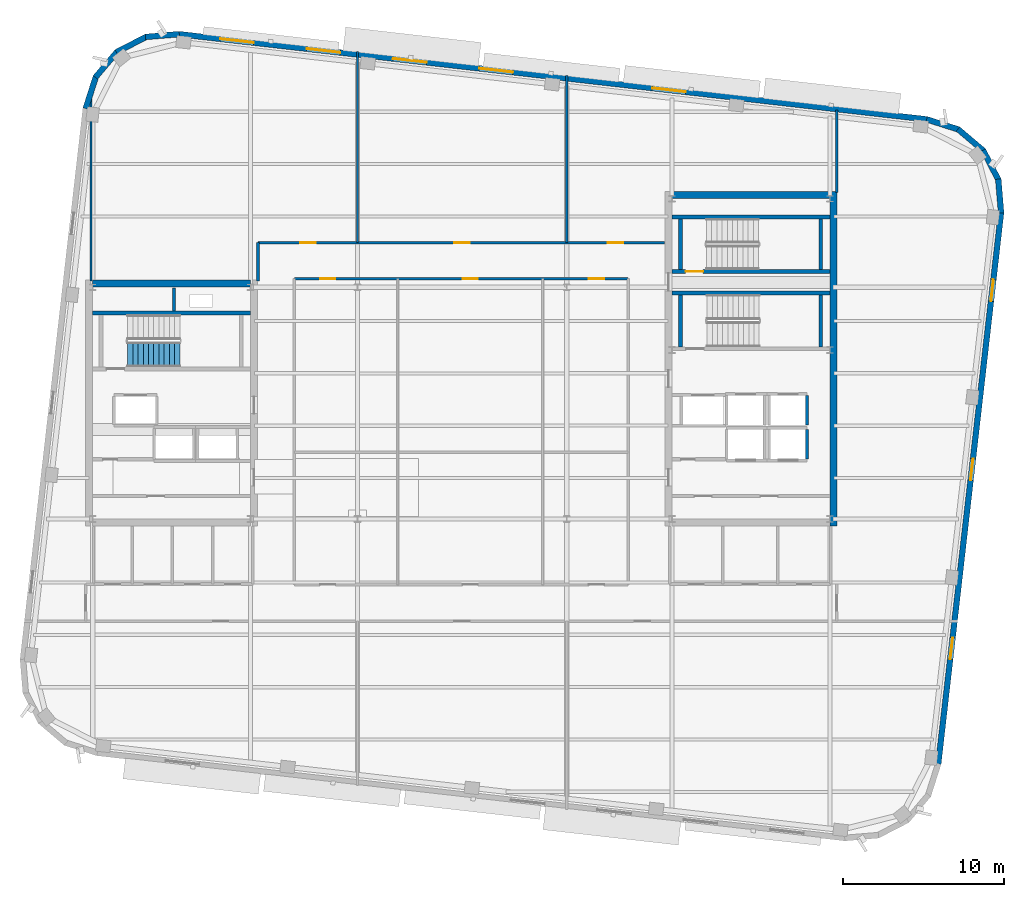
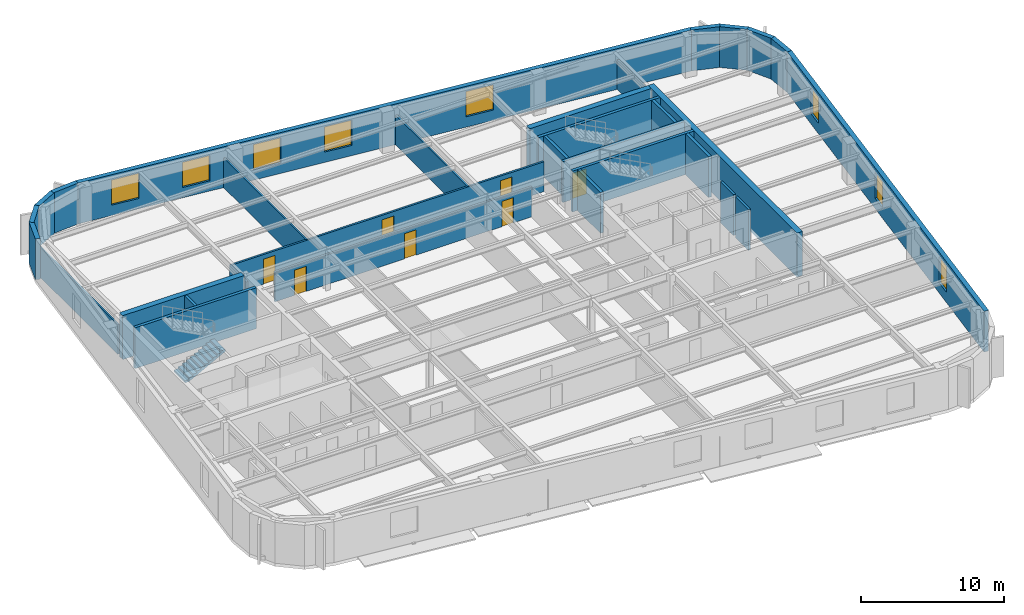
# One storey, part 8 of 14: 31 walls, 8 windows, 7 doors, 1 stair flight, 15 openings, 1 element without a shape of its own.
"""IFC4 building model written with IfcOpenShell, lengths in metres."""

from ifc_helpers import new_model, si_unit, direction, frame, frame_2d, origin, place, context, subcontext, project, spatial, polyline, rectangle, outline, extrude, material, layer, layer_set, type_object, element, fill, aggregate, save


model = new_model("IFC4")

# Units and contexts
model_context = context("Model", 3, precision=1e-05, world=origin(), true_north=direction((0.0, 1.0)))
body_context = subcontext(model_context, "Body", "Model", "MODEL_VIEW")
ifc_project = project(units=[si_unit("LENGTHUNIT", "METRE"), si_unit("AREAUNIT", "SQUARE_METRE"), si_unit("VOLUMEUNIT", "CUBIC_METRE"), si_unit("PLANEANGLEUNIT", "RADIAN"), si_unit("MASSUNIT", "GRAM", prefix="KILO")], contexts=[model_context])

# Site, building, storey
site_placement = place(None, origin())
site = spatial("IfcSite", under=ifc_project, at=site_placement, CompositionType="ELEMENT")
building_placement = place(site_placement, origin())
building = spatial("IfcBuilding", under=site, at=building_placement, Name="Kolvaren Arena Tower", CompositionType="ELEMENT")
storey_placement = place(building_placement, frame((0.0, 0.0, 247.199951171875)))
storey = spatial("IfcBuildingStorey", under=building, at=storey_placement, Name="L60", CompositionType="ELEMENT", Elevation=247.199951171875)

# Wall
ifc_material_1 = material(Name="Gypsum board acoustic assembly", Category="gypsum")
ifc_layer_1 = layer(ifc_material_1, 0.159912109375)
ifc_layer_set_1 = layer_set([ifc_layer_1], Name="Gypsum board acoustic assembly")
wall_type_1 = type_object("IfcWallType", Name="CORR-160", PredefinedType="PARTITIONING", material=ifc_layer_set_1)
wall_1_placement = place(storey_placement, frame((24.820068359375, 34.25, 0.0), z_axis=(0.0, 0.0, 1.0), x_axis=(0.0, 1.0, 0.0)))
element("IfcWall", 1, at=wall_1_placement, inside=storey, type_object=wall_type_1, Name="Interior Partition Wall (L60)", PredefinedType="PARTITIONING", context=body_context, shape_type="SweptSolid", body=[
    extrude(rectangle(XDim=2.3701171875, YDim=0.159912109375, at=frame_2d((1.18505859375, 0.0))), origin(), (0.0, 0.0, 1.0), 2.5400390625),
])

# Wall, openings, doors
wall_2_placement = place(storey_placement, frame((24.820068359375, 36.6201171875, 0.0), z_axis=(0.0, 0.0, 1.0), x_axis=(1.0, 0.0, 0.0)))
wall_2 = element("IfcWall", 2, at=wall_2_placement, inside=storey, type_object=wall_type_1, Name="Interior Partition Wall (L60)", PredefinedType="PARTITIONING", context=body_context, shape_type="SweptSolid", body=[
    extrude(rectangle(XDim=25.260009765625, YDim=0.159912109375, at=frame_2d((12.6298828125, 0.0))), origin(), (0.0, 0.0, 1.0), 2.5400390625),
])
opening_1_placement = place(wall_2_placement, frame((2.6298828125, 0.0, 0.0)))
opening_1 = element("IfcOpeningElement", 3, at=opening_1_placement, cuts=wall_2, Name="Opening D05", PredefinedType="OPENING", context=body_context, shape_type="SweptSolid", body=[
    extrude(rectangle(XDim=0.949951171875, YDim=2.14990234375, at=frame_2d((0.47509765625, 1.074951171875))), frame((0.0, 0.08984375, 0.0), z_axis=(0.0, -1.0, 0.0), x_axis=(1.0, 0.0, 0.0)), (0.0, 0.0, 1.0), 0.179931640625),
])
opening_2_placement = place(wall_2_placement, frame((12.205078125, 0.0, 0.0)))
opening_2 = element("IfcOpeningElement", 4, at=opening_2_placement, cuts=wall_2, Name="Opening D05", PredefinedType="OPENING", context=body_context, shape_type="SweptSolid", body=[
    extrude(rectangle(XDim=0.949951171875, YDim=2.14990234375, at=frame_2d((0.47509765625, 1.074951171875))), frame((0.0, 0.08984375, 0.0), z_axis=(0.0, -1.0, 0.0), x_axis=(1.0, 0.0, 0.0)), (0.0, 0.0, 1.0), 0.179931640625),
])
opening_3_placement = place(wall_2_placement, frame((21.72998046875, 0.0, 0.0)))
opening_3 = element("IfcOpeningElement", 5, at=opening_3_placement, cuts=wall_2, Name="Opening D05", PredefinedType="OPENING", context=body_context, shape_type="SweptSolid", body=[
    extrude(rectangle(XDim=0.949951171875, YDim=2.14990234375, at=frame_2d((0.47509765625, 1.074951171875))), frame((0.0, 0.08984375, 0.0), z_axis=(0.0, -1.0, 0.0), x_axis=(1.0, 0.0, 0.0)), (0.0, 0.0, 1.0), 0.179931640625),
])
ifc_material_2 = material(Name="Solid-core oak acoustic office door", Category="wood")
door_type_1 = type_object("IfcDoorType", Name="DOOR-OF-095", OperationType="NOTDEFINED", PredefinedType="DOOR", material=ifc_material_2)
door_1_placement = place(opening_1_placement, origin())
door_1 = element("IfcDoor", 6, at=door_1_placement, inside=storey, type_object=door_type_1, Name="Open Plan Office Door (L60)", OperationType="SINGLE_SWING_LEFT", OverallHeight=2.14990234375, OverallWidth=0.949951171875, PredefinedType="DOOR", context=body_context, shape_type="SweptSolid", body=[
    extrude(rectangle(XDim=0.949951171875, YDim=2.14990234375, at=frame_2d((0.47509765625, 1.074951171875))), frame((0.0, 0.02490234375, 0.0), z_axis=(0.0, -1.0, 0.0), x_axis=(1.0, 0.0, 0.0)), (0.0, 0.0, 1.0), 0.050048828125),
])
fill(opening_1, door_1)
door_2_placement = place(opening_2_placement, origin())
door_2 = element("IfcDoor", 7, at=door_2_placement, inside=storey, type_object=door_type_1, Name="Corporate Project Office Door (L60)", OperationType="SINGLE_SWING_RIGHT", OverallHeight=2.14990234375, OverallWidth=0.949951171875, PredefinedType="DOOR", context=body_context, shape_type="SweptSolid", body=[
    extrude(rectangle(XDim=0.949951171875, YDim=2.14990234375, at=frame_2d((0.47509765625, 1.074951171875))), frame((0.0, 0.02490234375, 0.0), z_axis=(0.0, -1.0, 0.0), x_axis=(1.0, 0.0, 0.0)), (0.0, 0.0, 1.0), 0.050048828125),
])
fill(opening_2, door_2)
door_3_placement = place(opening_3_placement, origin())
door_3 = element("IfcDoor", 8, at=door_3_placement, inside=storey, type_object=door_type_1, Name="Breakout Pantry and Kitchen Door (L60)", OperationType="SINGLE_SWING_LEFT", OverallHeight=2.14990234375, OverallWidth=0.949951171875, PredefinedType="DOOR", context=body_context, shape_type="SweptSolid", body=[
    extrude(rectangle(XDim=0.949951171875, YDim=2.14990234375, at=frame_2d((0.47509765625, 1.074951171875))), frame((0.0, 0.02490234375, 0.0), z_axis=(0.0, -1.0, 0.0), x_axis=(1.0, 0.0, 0.0)), (0.0, 0.0, 1.0), 0.050048828125),
])
fill(opening_3, door_3)

wall_3_placement = place(storey_placement, frame((27.080078125, 34.3798828125, 0.0), z_axis=(0.0, 0.0, 1.0), x_axis=(1.0, 0.0, 0.0)))
wall_3 = element("IfcWall", 9, at=wall_3_placement, inside=storey, type_object=wall_type_1, Name="Interior Partition Wall (L60)", PredefinedType="PARTITIONING", context=body_context, shape_type="SweptSolid", body=[
    extrude(rectangle(XDim=20.739990234375, YDim=0.159912109375, at=frame_2d((10.3701171875, 0.0))), origin(), (0.0, 0.0, 1.0), 2.5400390625),
])
opening_4_placement = place(wall_3_placement, frame((1.594970703125, 0.0, 0.0)))
opening_4 = element("IfcOpeningElement", 10, at=opening_4_placement, cuts=wall_3, Name="Opening D05", PredefinedType="OPENING", context=body_context, shape_type="SweptSolid", body=[
    extrude(rectangle(XDim=0.949951171875, YDim=2.14990234375, at=frame_2d((0.47509765625, 1.074951171875))), frame((0.0, 0.08984375, 0.0), z_axis=(0.0, -1.0, 0.0), x_axis=(1.0, 0.0, 0.0)), (0.0, 0.0, 1.0), 0.179931640625),
])
opening_5_placement = place(wall_3_placement, frame((10.445068359375, 0.0, 0.0)))
opening_5 = element("IfcOpeningElement", 11, at=opening_5_placement, cuts=wall_3, Name="Opening D05", PredefinedType="OPENING", context=body_context, shape_type="SweptSolid", body=[
    extrude(rectangle(XDim=0.949951171875, YDim=2.14990234375, at=frame_2d((0.47509765625, 1.074951171875))), frame((0.0, 0.08984375, 0.0), z_axis=(0.0, -1.0, 0.0), x_axis=(1.0, 0.0, 0.0)), (0.0, 0.0, 1.0), 0.179931640625),
])
opening_6_placement = place(wall_3_placement, frame((18.294921875, 0.0, 0.0)))
opening_6 = element("IfcOpeningElement", 12, at=opening_6_placement, cuts=wall_3, Name="Opening D05", PredefinedType="OPENING", context=body_context, shape_type="SweptSolid", body=[
    extrude(rectangle(XDim=0.949951171875, YDim=2.14990234375, at=frame_2d((0.47509765625, 1.074951171875))), frame((0.0, 0.08984375, 0.0), z_axis=(0.0, -1.0, 0.0), x_axis=(1.0, 0.0, 0.0)), (0.0, 0.0, 1.0), 0.179931640625),
])
door_4_placement = place(opening_4_placement, origin())
door_4 = element("IfcDoor", 13, at=door_4_placement, inside=storey, type_object=door_type_1, Name="Executive Office Door (L60)", OperationType="SINGLE_SWING_RIGHT", OverallHeight=2.14990234375, OverallWidth=0.949951171875, PredefinedType="DOOR", context=body_context, shape_type="SweptSolid", body=[
    extrude(rectangle(XDim=0.949951171875, YDim=2.14990234375, at=frame_2d((0.47509765625, 1.074951171875))), frame((0.0, 0.02490234375, 0.0), z_axis=(0.0, -1.0, 0.0), x_axis=(1.0, 0.0, 0.0)), (0.0, 0.0, 1.0), 0.050048828125),
])
fill(opening_4, door_4)
door_5_placement = place(opening_5_placement, origin())
door_5 = element("IfcDoor", 14, at=door_5_placement, inside=storey, type_object=door_type_1, Name="Meeting Room Door (L60)", OperationType="SINGLE_SWING_RIGHT", OverallHeight=2.14990234375, OverallWidth=0.949951171875, PredefinedType="DOOR", context=body_context, shape_type="SweptSolid", body=[
    extrude(rectangle(XDim=0.949951171875, YDim=2.14990234375, at=frame_2d((0.47509765625, 1.074951171875))), frame((0.0, 0.02490234375, 0.0), z_axis=(0.0, -1.0, 0.0), x_axis=(1.0, 0.0, 0.0)), (0.0, 0.0, 1.0), 0.050048828125),
])
fill(opening_5, door_5)
door_6_placement = place(opening_6_placement, origin())
door_6 = element("IfcDoor", 15, at=door_6_placement, inside=storey, type_object=door_type_1, Name="Boardroom Door (L60)", OperationType="SINGLE_SWING_RIGHT", OverallHeight=2.14990234375, OverallWidth=0.949951171875, PredefinedType="DOOR", context=body_context, shape_type="SweptSolid", body=[
    extrude(rectangle(XDim=0.949951171875, YDim=2.14990234375, at=frame_2d((0.47509765625, 1.074951171875))), frame((0.0, 0.02490234375, 0.0), z_axis=(0.0, -1.0, 0.0), x_axis=(1.0, 0.0, 0.0)), (0.0, 0.0, 1.0), 0.050048828125),
])
fill(opening_6, door_6)

# Walls
ifc_material_3 = material(Name="Concrete 55 MPa", Category="concrete")
ifc_layer_2 = layer(ifc_material_3, 0.449951171875)
ifc_layer_set_2 = layer_set([ifc_layer_2], Name="Concrete 55 MPa")
wall_type_2 = type_object("IfcWallType", Name="CWALL-450", PredefinedType="SHEAR", material=ifc_layer_set_2)
wall_4_placement = place(storey_placement, frame((14.550048828125, 34.074951171875, -0.27001953125), z_axis=(0.0, 0.0, 1.0), x_axis=(1.0, 0.0, 0.0)))
element("IfcWall", 16, at=wall_4_placement, inside=storey, type_object=wall_type_2, Name="Core Shear Wall WC-NORTH (L60)", PredefinedType="SHEAR", context=body_context, shape_type="SweptSolid", body=[
    extrude(rectangle(XDim=9.800048828125, YDim=0.449951171875, at=frame_2d((4.89990234375, 0.0))), origin(), (0.0, 0.0, 1.0), 3.75),
])
wall_5_placement = place(storey_placement, frame((60.574951171875, 19.0, -0.27001953125), z_axis=(0.0, 0.0, 1.0), x_axis=(0.0, 1.0, 0.0)))
element("IfcWall", 17, at=wall_5_placement, inside=storey, type_object=wall_type_2, Name="Core Shear Wall EC-EAST (L60)", PredefinedType="SHEAR", context=body_context, shape_type="SweptSolid", body=[
    extrude(rectangle(XDim=20.800048828125, YDim=0.449951171875, at=frame_2d((10.39990234375, 0.0))), origin(), (0.0, 0.0, 1.0), 3.75),
])
wall_6_placement = place(storey_placement, frame((50.550048828125, 39.574951171875, -0.27001953125), z_axis=(0.0, 0.0, 1.0), x_axis=(1.0, 0.0, 0.0)))
element("IfcWall", 18, at=wall_6_placement, inside=storey, type_object=wall_type_2, Name="Core Shear Wall EC-NORTH (L60)", PredefinedType="SHEAR", context=body_context, shape_type="SweptSolid", body=[
    extrude(rectangle(XDim=9.800048828125, YDim=0.449951171875, at=frame_2d((4.89990234375, 0.0))), origin(), (0.0, 0.0, 1.0), 3.75),
])

# Wall, openings, windows
ifc_material_4 = material(Name="Precast concrete C50/60", Category="concrete")
ifc_layer_3 = layer(ifc_material_4, 0.360107421875)
ifc_layer_set_3 = layer_set([ifc_layer_3], Name="Precast concrete C50/60")
wall_type_3 = type_object("IfcWallType", Name="EXT-PIER2", PredefinedType="SOLIDWALL", material=ifc_layer_set_3)
wall_7_placement = place(storey_placement, frame((70.98876953125, 38.499267578125, 0.0), z_axis=(0.0, 0.0, 1.0), x_axis=(-0.113203107947, -0.993571867733, 0.0)))
wall_7 = element("IfcWall", 19, at=wall_7_placement, inside=storey, type_object=wall_type_3, Name="Exterior Precast Masonry-Frame Wall (L60)", PredefinedType="SOLIDWALL", context=body_context, shape_type="SweptSolid", body=[
    extrude(rectangle(XDim=34.5, YDim=0.360107421875, at=frame_2d((17.25, 0.0))), origin(), (0.0, 0.0, 1.0), 3.47998046875),
])
opening_7_placement = place(wall_7_placement, frame((4.199951171875, 0.0, 0.8798828125)))
opening_7 = element("IfcOpeningElement", 20, at=opening_7_placement, cuts=wall_7, Name="Opening W04", PredefinedType="OPENING", context=body_context, shape_type="SweptSolid", body=[
    extrude(rectangle(XDim=1.35009765625, YDim=2.199951171875, at=frame_2d((0.675048828125, 1.10009765625))), frame((0.0, 0.18994140625, 0.0), z_axis=(0.0, -1.0, 0.0), x_axis=(1.0, 0.0, 0.0)), (0.0, 0.0, 1.0), 0.380126953125),
])
opening_8_placement = place(wall_7_placement, frame((15.39990234375, 0.0, 0.8798828125)))
opening_8 = element("IfcOpeningElement", 21, at=opening_8_placement, cuts=wall_7, Name="Opening W04", PredefinedType="OPENING", context=body_context, shape_type="SweptSolid", body=[
    extrude(rectangle(XDim=1.35009765625, YDim=2.199951171875, at=frame_2d((0.675048828125, 1.10009765625))), frame((0.0, 0.18994140625, 0.0), z_axis=(0.0, -1.0, 0.0), x_axis=(1.0, 0.0, 0.0)), (0.0, 0.0, 1.0), 0.380126953125),
])
opening_9_placement = place(wall_7_placement, frame((26.60009765625, 0.0, 0.8798828125)))
opening_9 = element("IfcOpeningElement", 22, at=opening_9_placement, cuts=wall_7, Name="Opening W04", PredefinedType="OPENING", context=body_context, shape_type="SweptSolid", body=[
    extrude(rectangle(XDim=1.35009765625, YDim=2.199951171875, at=frame_2d((0.675048828125, 1.10009765625))), frame((0.0, 0.18994140625, 0.0), z_axis=(0.0, -1.0, 0.0), x_axis=(1.0, 0.0, 0.0)), (0.0, 0.0, 1.0), 0.380126953125),
])
ifc_material_5 = material(Name="Triple-glazed curved-facet corner window", Category="glass")
window_type_1 = type_object("IfcWindowType", Name="WIN-CRN-A", PartitioningType="SINGLE_PANEL", PredefinedType="WINDOW", material=ifc_material_5)
window_1_placement = place(opening_7_placement, origin())
window_1 = element("IfcWindow", 23, at=window_1_placement, inside=storey, type_object=window_type_1, Name="End-Wall Punched Window (L60)", OverallHeight=2.199951171875, OverallWidth=1.35009765625, PartitioningType="SINGLE_PANEL", PredefinedType="WINDOW", context=body_context, shape_type="SweptSolid", body=[
    extrude(rectangle(XDim=1.35009765625, YDim=2.199951171875, at=frame_2d((0.675048828125, 1.10009765625))), frame((0.0, 0.030029296875, 0.0), z_axis=(0.0, -1.0, 0.0), x_axis=(1.0, 0.0, 0.0)), (0.0, 0.0, 1.0), 0.06005859375),
])
fill(opening_7, window_1)
window_2_placement = place(opening_8_placement, origin())
window_2 = element("IfcWindow", 24, at=window_2_placement, inside=storey, type_object=window_type_1, Name="End-Wall Punched Window (L60)", OverallHeight=2.199951171875, OverallWidth=1.35009765625, PartitioningType="SINGLE_PANEL", PredefinedType="WINDOW", context=body_context, shape_type="SweptSolid", body=[
    extrude(rectangle(XDim=1.35009765625, YDim=2.199951171875, at=frame_2d((0.675048828125, 1.10009765625))), frame((0.0, 0.030029296875, 0.0), z_axis=(0.0, -1.0, 0.0), x_axis=(1.0, 0.0, 0.0)), (0.0, 0.0, 1.0), 0.06005859375),
])
fill(opening_8, window_2)
window_3_placement = place(opening_9_placement, origin())
window_3 = element("IfcWindow", 25, at=window_3_placement, inside=storey, type_object=window_type_1, Name="End-Wall Punched Window (L60)", OverallHeight=2.199951171875, OverallWidth=1.35009765625, PartitioningType="SINGLE_PANEL", PredefinedType="WINDOW", context=body_context, shape_type="SweptSolid", body=[
    extrude(rectangle(XDim=1.35009765625, YDim=2.199951171875, at=frame_2d((0.675048828125, 1.10009765625))), frame((0.0, 0.030029296875, 0.0), z_axis=(0.0, -1.0, 0.0), x_axis=(1.0, 0.0, 0.0)), (0.0, 0.0, 1.0), 0.06005859375),
])
fill(opening_9, window_3)

# Walls
wall_8_placement = place(storey_placement, frame((70.813720703125, 40.563720703125, 0.0), z_axis=(0.0, 0.0, 1.0), x_axis=(0.082853678144, -0.996561723135, 0.0)))
element("IfcWall", 26, at=wall_8_placement, inside=storey, type_object=wall_type_3, Name="Exterior Precast Masonry-Frame Wall (L60)", PredefinedType="SOLIDWALL", context=body_context, shape_type="SweptSolid", body=[
    extrude(rectangle(XDim=2.10693359375, YDim=0.360107421875, at=frame_2d((1.053466796875, 0.0))), origin(), (0.0, 0.0, 1.0), 3.47998046875),
])
for number, where, z_axis, x_axis, name in (
    (27, (69.868408203125, 42.369384765625, 0.0), (0.0, 0.0, 1.0), (0.457887222333, -0.889010287693, 0.0), "Exterior Precast Masonry-Frame Wall (L60)"),
    (28, (68.303955078125, 43.67578125, 0.0), (0.0, 0.0, 1.0), (0.763192878975, -0.646170743289, 0.0), "Exterior Precast Masonry-Frame Wall (L60)"),
    (29, (66.358642578125, 44.283935546875, 0.0), (0.0, 0.0, 1.0), (0.952403965565, -0.304838787518, 0.0), "Exterior Precast Masonry-Frame Wall (L60)"),
):
    element("IfcWall", number, at=place(storey_placement, frame(where, z_axis=z_axis, x_axis=x_axis)), inside=storey, type_object=wall_type_3, Name=name, PredefinedType="SOLIDWALL", context=body_context, shape_type="SweptSolid", body=[
        extrude(rectangle(XDim=2.107177734375, YDim=0.360107421875, at=frame_2d((1.0537109375, 0.0))), origin(), (0.0, 0.0, 1.0), 3.47998046875),
    ])

# Wall, openings, windows
wall_9_placement = place(storey_placement, frame((19.89404296875, 49.57470703125, 0.0), z_axis=(0.0, 0.0, 1.0), x_axis=(0.993571439016, -0.113206870688, 0.0)))
wall_9 = element("IfcWall", 30, at=wall_9_placement, inside=storey, type_object=wall_type_3, Name="Exterior Precast Masonry-Frame Wall (L60)", PredefinedType="SOLIDWALL", context=body_context, shape_type="SweptSolid", body=[
    extrude(rectangle(XDim=46.800048828125, YDim=0.360107421875, at=frame_2d((23.39990234375, 0.0))), origin(), (0.0, 0.0, 1.0), 3.47998046875),
])
opening_10_placement = place(wall_9_placement, frame((2.60009765625, 0.0, 0.8798828125)))
opening_10 = element("IfcOpeningElement", 31, at=opening_10_placement, cuts=wall_9, Name="Opening W01", PredefinedType="OPENING", context=body_context, shape_type="SweptSolid", body=[
    extrude(rectangle(XDim=2.10009765625, YDim=2.14990234375, at=frame_2d((1.050048828125, 1.074951171875))), frame((0.0, 0.18994140625, 0.0), z_axis=(0.0, -1.0, 0.0), x_axis=(1.0, 0.0, 0.0)), (0.0, 0.0, 1.0), 0.380126953125),
])
opening_11_placement = place(wall_9_placement, frame((8.0, 0.0, 0.8798828125)))
opening_11 = element("IfcOpeningElement", 32, at=opening_11_placement, cuts=wall_9, Name="Opening W01", PredefinedType="OPENING", context=body_context, shape_type="SweptSolid", body=[
    extrude(rectangle(XDim=2.10009765625, YDim=2.14990234375, at=frame_2d((1.050048828125, 1.074951171875))), frame((0.0, 0.18994140625, 0.0), z_axis=(0.0, -1.0, 0.0), x_axis=(1.0, 0.0, 0.0)), (0.0, 0.0, 1.0), 0.380126953125),
])
opening_12_placement = place(wall_9_placement, frame((13.39990234375, 0.0, 0.8798828125)))
opening_12 = element("IfcOpeningElement", 33, at=opening_12_placement, cuts=wall_9, Name="Opening W01", PredefinedType="OPENING", context=body_context, shape_type="SweptSolid", body=[
    extrude(rectangle(XDim=2.10009765625, YDim=2.14990234375, at=frame_2d((1.050048828125, 1.074951171875))), frame((0.0, 0.18994140625, 0.0), z_axis=(0.0, -1.0, 0.0), x_axis=(1.0, 0.0, 0.0)), (0.0, 0.0, 1.0), 0.380126953125),
])
opening_13_placement = place(wall_9_placement, frame((18.800048828125, 0.0, 0.8798828125)))
opening_13 = element("IfcOpeningElement", 34, at=opening_13_placement, cuts=wall_9, Name="Opening W01", PredefinedType="OPENING", context=body_context, shape_type="SweptSolid", body=[
    extrude(rectangle(XDim=2.10009765625, YDim=2.14990234375, at=frame_2d((1.050048828125, 1.074951171875))), frame((0.0, 0.18994140625, 0.0), z_axis=(0.0, -1.0, 0.0), x_axis=(1.0, 0.0, 0.0)), (0.0, 0.0, 1.0), 0.380126953125),
])
opening_14_placement = place(wall_9_placement, frame((29.60009765625, 0.0, 0.8798828125)))
opening_14 = element("IfcOpeningElement", 35, at=opening_14_placement, cuts=wall_9, Name="Opening W01", PredefinedType="OPENING", context=body_context, shape_type="SweptSolid", body=[
    extrude(rectangle(XDim=2.10009765625, YDim=2.14990234375, at=frame_2d((1.050048828125, 1.074951171875))), frame((0.0, 0.18994140625, 0.0), z_axis=(0.0, -1.0, 0.0), x_axis=(1.0, 0.0, 0.0)), (0.0, 0.0, 1.0), 0.380126953125),
])
ifc_material_6 = material(Name="Triple-glazed low-E aluminium window", Category="aluminium")
window_type_2 = type_object("IfcWindowType", Name="WIN-OFF-A", PartitioningType="DOUBLE_PANEL_VERTICAL", PredefinedType="WINDOW", material=ifc_material_6)
window_4_placement = place(opening_10_placement, origin())
window_4 = element("IfcWindow", 36, at=window_4_placement, inside=storey, type_object=window_type_2, Name="Punched Precast-Pier Window (L60)", OverallHeight=2.14990234375, OverallWidth=2.10009765625, PartitioningType="DOUBLE_PANEL_VERTICAL", PredefinedType="WINDOW", context=body_context, shape_type="SweptSolid", body=[
    extrude(rectangle(XDim=2.10009765625, YDim=2.14990234375, at=frame_2d((1.050048828125, 1.074951171875))), frame((0.0, 0.030029296875, 0.0), z_axis=(0.0, -1.0, 0.0), x_axis=(1.0, 0.0, 0.0)), (0.0, 0.0, 1.0), 0.06005859375),
])
fill(opening_10, window_4)
window_5_placement = place(opening_11_placement, origin())
window_5 = element("IfcWindow", 37, at=window_5_placement, inside=storey, type_object=window_type_2, Name="Punched Precast-Pier Window (L60)", OverallHeight=2.14990234375, OverallWidth=2.10009765625, PartitioningType="DOUBLE_PANEL_VERTICAL", PredefinedType="WINDOW", context=body_context, shape_type="SweptSolid", body=[
    extrude(rectangle(XDim=2.10009765625, YDim=2.14990234375, at=frame_2d((1.050048828125, 1.074951171875))), frame((0.0, 0.030029296875, 0.0), z_axis=(0.0, -1.0, 0.0), x_axis=(1.0, 0.0, 0.0)), (0.0, 0.0, 1.0), 0.06005859375),
])
fill(opening_11, window_5)
window_6_placement = place(opening_12_placement, origin())
window_6 = element("IfcWindow", 38, at=window_6_placement, inside=storey, type_object=window_type_2, Name="Punched Precast-Pier Window (L60)", OverallHeight=2.14990234375, OverallWidth=2.10009765625, PartitioningType="DOUBLE_PANEL_VERTICAL", PredefinedType="WINDOW", context=body_context, shape_type="SweptSolid", body=[
    extrude(rectangle(XDim=2.10009765625, YDim=2.14990234375, at=frame_2d((1.050048828125, 1.074951171875))), frame((0.0, 0.030029296875, 0.0), z_axis=(0.0, -1.0, 0.0), x_axis=(1.0, 0.0, 0.0)), (0.0, 0.0, 1.0), 0.06005859375),
])
fill(opening_12, window_6)
window_7_placement = place(opening_13_placement, origin())
window_7 = element("IfcWindow", 39, at=window_7_placement, inside=storey, type_object=window_type_2, Name="Punched Precast-Pier Window (L60)", OverallHeight=2.14990234375, OverallWidth=2.10009765625, PartitioningType="DOUBLE_PANEL_VERTICAL", PredefinedType="WINDOW", context=body_context, shape_type="SweptSolid", body=[
    extrude(rectangle(XDim=2.10009765625, YDim=2.14990234375, at=frame_2d((1.050048828125, 1.074951171875))), frame((0.0, 0.030029296875, 0.0), z_axis=(0.0, -1.0, 0.0), x_axis=(1.0, 0.0, 0.0)), (0.0, 0.0, 1.0), 0.06005859375),
])
fill(opening_13, window_7)
window_8_placement = place(opening_14_placement, origin())
window_8 = element("IfcWindow", 40, at=window_8_placement, inside=storey, type_object=window_type_2, Name="Punched Precast-Pier Window (L60)", OverallHeight=2.14990234375, OverallWidth=2.10009765625, PartitioningType="DOUBLE_PANEL_VERTICAL", PredefinedType="WINDOW", context=body_context, shape_type="SweptSolid", body=[
    extrude(rectangle(XDim=2.10009765625, YDim=2.14990234375, at=frame_2d((1.050048828125, 1.074951171875))), frame((0.0, 0.030029296875, 0.0), z_axis=(0.0, -1.0, 0.0), x_axis=(1.0, 0.0, 0.0)), (0.0, 0.0, 1.0), 0.06005859375),
])
fill(opening_14, window_8)

# Walls
for number, where, z_axis, x_axis, name in (
    (41, (17.82958984375, 49.3994140625, 0.0), (0.0, 0.0, 1.0), (0.996562518477, 0.082844111233, 0.0), "Exterior Precast Masonry-Frame Wall (L60)"),
    (42, (16.02392578125, 48.4541015625, 0.0), (0.0, 0.0, 1.0), (0.889010287693, 0.457887222333, 0.0), "Exterior Precast Masonry-Frame Wall (L60)"),
    (43, (14.717529296875, 46.8896484375, 0.0), (0.0, 0.0, 1.0), (0.646170743289, 0.763192878975, 0.0), "Exterior Precast Masonry-Frame Wall (L60)"),
):
    element("IfcWall", number, at=place(storey_placement, frame(where, z_axis=z_axis, x_axis=x_axis)), inside=storey, type_object=wall_type_3, Name=name, PredefinedType="SOLIDWALL", context=body_context, shape_type="SweptSolid", body=[
        extrude(rectangle(XDim=2.107177734375, YDim=0.360107421875, at=frame_2d((1.0537109375, 0.0))), origin(), (0.0, 0.0, 1.0), 3.47998046875),
    ])
wall_10_placement = place(storey_placement, frame((14.109375, 44.944580078125, 0.0), z_axis=(0.0, 0.0, 1.0), x_axis=(0.304872429864, 0.952393196904, 0.0)))
element("IfcWall", 44, at=wall_10_placement, inside=storey, type_object=wall_type_3, Name="Exterior Precast Masonry-Frame Wall (L60)", PredefinedType="SOLIDWALL", context=body_context, shape_type="SweptSolid", body=[
    extrude(rectangle(XDim=2.10693359375, YDim=0.360107421875, at=frame_2d((1.053466796875, 0.0))), origin(), (0.0, 0.0, 1.0), 3.47998046875),
])
ifc_material_7 = material(Name="Gypsum board partition assembly", Category="gypsum")
ifc_layer_4 = layer(ifc_material_7, 0.135009765625)
ifc_layer_set_4 = layer_set([ifc_layer_4], Name="Gypsum board partition assembly")
wall_type_4 = type_object("IfcWallType", Name="PART-135", PredefinedType="PARTITIONING", material=ifc_layer_set_4)
wall_11_placement = place(storey_placement, frame((31.0, 36.6201171875, 0.0), z_axis=(0.0, 0.0, 1.0), x_axis=(0.0, 1.0, 0.0)))
element("IfcWall", 45, at=wall_11_placement, inside=storey, type_object=wall_type_4, Name="Interior Partition Wall (L60)", PredefinedType="PARTITIONING", context=body_context, shape_type="SweptSolid", body=[
    extrude(rectangle(XDim=11.8701171875, YDim=0.135009765625, at=frame_2d((5.93505859375, 0.0))), origin(), (0.0, 0.0, 1.0), 2.5400390625),
])
wall_12_placement = place(storey_placement, frame((44.0, 36.6201171875, 0.0), z_axis=(0.0, 0.0, 1.0), x_axis=(0.0, 1.0, 0.0)))
element("IfcWall", 46, at=wall_12_placement, inside=storey, type_object=wall_type_4, Name="Interior Partition Wall (L60)", PredefinedType="PARTITIONING", context=body_context, shape_type="SweptSolid", body=[
    extrude(rectangle(XDim=10.38916015625, YDim=0.135009765625, at=frame_2d((5.194580078125, 0.0))), origin(), (0.0, 0.0, 1.0), 2.5400390625),
])
wall_13_placement = place(storey_placement, frame((14.449951171875, 34.25, 0.0), z_axis=(0.0, 0.0, 1.0), x_axis=(0.0, 1.0, 0.0)))
element("IfcWall", 47, at=wall_13_placement, inside=storey, type_object=wall_type_4, Name="Interior Partition Wall (L60)", PredefinedType="PARTITIONING", context=body_context, shape_type="SweptSolid", body=[
    extrude(rectangle(XDim=11.56201171875, YDim=0.135009765625, at=frame_2d((5.781005859375, 0.0))), origin(), (0.0, 0.0, 1.0), 2.5400390625),
])
wall_14_placement = place(storey_placement, frame((60.780029296875, 39.75, 0.0), z_axis=(0.0, 0.0, 1.0), x_axis=(0.0, 1.0, 0.0)))
element("IfcWall", 48, at=wall_14_placement, inside=storey, type_object=wall_type_4, Name="Interior Partition Wall (L60)", PredefinedType="PARTITIONING", context=body_context, shape_type="SweptSolid", body=[
    extrude(rectangle(XDim=5.105712890625, YDim=0.135009765625, at=frame_2d((2.552734375, 0.0))), origin(), (0.0, 0.0, 1.0), 2.5400390625),
])
ifc_material_8 = material(Name="Concrete 45 MPa", Category="concrete")
ifc_layer_5 = layer(ifc_material_8, 0.25)
ifc_layer_set_5 = layer_set([ifc_layer_5], Name="Concrete 45 MPa")
wall_type_5 = type_object("IfcWallType", Name="SHAFT-250", PredefinedType="SOLIDWALL", material=ifc_layer_set_5)
for number, where, z_axis, x_axis, name in (
    (49, (14.550048828125, 32.25, 0.0), (0.0, 0.0, 1.0), (1.0, 0.0, 0.0), "Core Shaft Wall (L60)"),
    (50, (50.550048828125, 33.5, 0.0), (0.0, 0.0, 1.0), (1.0, 0.0, 0.0), "Core Shaft Wall (L60)"),
):
    element("IfcWall", number, at=place(storey_placement, frame(where, z_axis=z_axis, x_axis=x_axis)), inside=storey, type_object=wall_type_5, Name=name, PredefinedType="SOLIDWALL", context=body_context, shape_type="SweptSolid", body=[
        extrude(rectangle(XDim=9.800048828125, YDim=0.239990234375, at=frame_2d((4.89990234375, 0.0))), origin(), (0.0, 0.0, 1.0), 3.47998046875),
    ])
for number, where, z_axis, x_axis, name in (
    (51, (51.06005859375, 30.14990234375, 0.0), (0.0, 0.0, 1.0), (0.0, 1.0, 0.0), "Core Shaft Wall (L60)"),
    (52, (59.780029296875, 30.14990234375, 0.0), (0.0, 0.0, 1.0), (0.0, 1.0, 0.0), "Core Shaft Wall (L60)"),
):
    element("IfcWall", number, at=place(storey_placement, frame(where, z_axis=z_axis, x_axis=x_axis)), inside=storey, type_object=wall_type_5, Name=name, PredefinedType="SOLIDWALL", context=body_context, shape_type="SweptSolid", body=[
        extrude(rectangle(XDim=3.22998046875, YDim=0.239990234375, at=frame_2d((1.614990234375, 0.0))), origin(), (0.0, 0.0, 1.0), 3.47998046875),
    ])

# Wall, opening, door
wall_15_placement = place(storey_placement, frame((60.35009765625, 34.830078125, 0.0), z_axis=(0.0, 0.0, 1.0), x_axis=(-1.0, 0.0, 0.0)))
wall_15 = element("IfcWall", 53, at=wall_15_placement, inside=storey, type_object=wall_type_5, Name="Core Shaft Wall (L60)", PredefinedType="SOLIDWALL", context=body_context, shape_type="SweptSolid", body=[
    extrude(rectangle(XDim=9.800048828125, YDim=0.239990234375, at=frame_2d((4.89990234375, 0.0))), origin(), (0.0, 0.0, 1.0), 3.47998046875),
])
opening_15_placement = place(wall_15_placement, frame((7.8701171875, 0.0, 0.0)))
opening_15 = element("IfcOpeningElement", 54, at=opening_15_placement, cuts=wall_15, Name="Opening D03", PredefinedType="OPENING", context=body_context, shape_type="SweptSolid", body=[
    extrude(rectangle(XDim=1.10009765625, YDim=2.14990234375, at=frame_2d((0.550048828125, 1.074951171875))), frame((0.0, 0.1298828125, 0.0), z_axis=(0.0, -1.0, 0.0), x_axis=(1.0, 0.0, 0.0)), (0.0, 0.0, 1.0), 0.260009765625),
])
ifc_material_9 = material(Name="Fire-rated steel exit stair door", Category="steel")
door_type_2 = type_object("IfcDoorType", Name="DOOR-ST-110", OperationType="NOTDEFINED", PredefinedType="DOOR", material=ifc_material_9)
door_7_placement = place(opening_15_placement, origin())
door_7 = element("IfcDoor", 55, at=door_7_placement, inside=storey, type_object=door_type_2, Name="Stair ST-E2 Fire Door (L60)", OperationType="SINGLE_SWING_LEFT", OverallHeight=2.14990234375, OverallWidth=1.10009765625, PredefinedType="DOOR", context=body_context, shape_type="SweptSolid", body=[
    extrude(rectangle(XDim=1.10009765625, YDim=2.14990234375, at=frame_2d((0.550048828125, 1.074951171875))), frame((0.0, 0.02490234375, 0.0), z_axis=(0.0, -1.0, 0.0), x_axis=(1.0, 0.0, 0.0)), (0.0, 0.0, 1.0), 0.050048828125),
])
fill(opening_15, door_7)

# Walls
wall_16_placement = place(storey_placement, frame((50.550048828125, 38.219970703125, 0.0), z_axis=(0.0, 0.0, 1.0), x_axis=(1.0, 0.0, 0.0)))
element("IfcWall", 56, at=wall_16_placement, inside=storey, type_object=wall_type_5, Name="Core Shaft Wall (L60)", PredefinedType="SOLIDWALL", context=body_context, shape_type="SweptSolid", body=[
    extrude(rectangle(XDim=9.800048828125, YDim=0.239990234375, at=frame_2d((4.89990234375, 0.0))), origin(), (0.0, 0.0, 1.0), 3.47998046875),
])
for number, where, z_axis, x_axis, name in (
    (57, (51.06005859375, 34.949951171875, 0.0), (0.0, 0.0, 1.0), (0.0, 1.0, 0.0), "Core Shaft Wall (L60)"),
    (58, (59.780029296875, 34.949951171875, 0.0), (0.0, 0.0, 1.0), (0.0, 1.0, 0.0), "Core Shaft Wall (L60)"),
):
    element("IfcWall", number, at=place(storey_placement, frame(where, z_axis=z_axis, x_axis=x_axis)), inside=storey, type_object=wall_type_5, Name=name, PredefinedType="SOLIDWALL", context=body_context, shape_type="SweptSolid", body=[
        extrude(rectangle(XDim=3.150146484375, YDim=0.239990234375, at=frame_2d((1.5751953125, 0.0))), origin(), (0.0, 0.0, 1.0), 3.47998046875),
    ])
wall_17_placement = place(storey_placement, frame((19.60009765625, 32.3701171875, 0.0), z_axis=(0.0, 0.0, 1.0), x_axis=(0.0, 1.0, 0.0)))
element("IfcWall", 59, at=wall_17_placement, inside=storey, type_object=wall_type_5, Name="Core Shaft Wall (L60)", PredefinedType="SOLIDWALL", context=body_context, shape_type="SweptSolid", body=[
    extrude(rectangle(XDim=1.429931640625, YDim=0.199951171875, at=frame_2d((0.71484375, 0.0))), origin(), (0.0, 0.0, 1.0), 3.47998046875),
])
wall_18_placement = place(storey_placement, frame((58.93994140625, 23.18505859375, 0.0), z_axis=(0.0, 0.0, 1.0), x_axis=(0.0, 1.0, 0.0)))
element("IfcWall", 60, at=wall_18_placement, inside=storey, type_object=wall_type_5, Name="Core Shaft Wall (L60)", PredefinedType="SOLIDWALL", context=body_context, shape_type="SweptSolid", body=[
    extrude(rectangle(XDim=1.829833984375, YDim=0.179931640625, at=frame_2d((0.9150390625, 0.0))), origin(), (0.0, 0.0, 1.0), 3.47998046875),
])
wall_19_placement = place(storey_placement, frame((58.93994140625, 25.284912109375, 0.0), z_axis=(0.0, 0.0, 1.0), x_axis=(0.0, 1.0, 0.0)))
element("IfcWall", 61, at=wall_19_placement, inside=storey, type_object=wall_type_5, Name="Core Shaft Wall (L60)", PredefinedType="SOLIDWALL", context=body_context, shape_type="SweptSolid", body=[
    extrude(rectangle(XDim=1.830078125, YDim=0.179931640625, at=frame_2d((0.9150390625, 0.0))), origin(), (0.0, 0.0, 1.0), 3.47998046875),
])

# Stair, stair flight
stair_type = type_object("IfcStairType", Name="STAIR-CORE-165", PredefinedType="HALF_TURN_STAIR", material=ifc_material_8)
stair_placement = place(storey_placement, origin())
stair = element("IfcStair", 62, at=stair_placement, inside=storey, type_object=stair_type, Name="L60 ST-W1", PredefinedType="HALF_TURN_STAIR")
stair_flight_type = type_object("IfcStairFlightType", Name="FLT-165", PredefinedType="STRAIGHT", material=ifc_material_8)
stair_flight_placement = place(storey_placement, frame((16.719970703125, 29.669921875, 0.0), z_axis=(0.0, 0.0, 1.0), x_axis=(1.0, 0.0, 0.0)))
stair_flight = element("IfcStairFlight", 63, at=stair_flight_placement, type_object=stair_flight_type, Name="ST-W1 flight 1", NumberOfRisers=11, NumberOfTreads=10, PredefinedType="STRAIGHT", RiserHeight=0.170454545, TreadLength=0.324, context=body_context, shape_type="SweptSolid", body=[
    extrude(outline(polyline([(0.0, 0.0), (0.0, 0.17041015625), (0.323974609375, 0.17041015625), (0.323974609375, 0.3408203125), (0.64794921875, 0.3408203125), (0.64794921875, 0.511474609375), (0.971923828125, 0.511474609375), (0.971923828125, 0.681884765625), (1.2958984375, 0.681884765625), (1.2958984375, 0.852294921875), (1.6201171875, 0.852294921875), (1.6201171875, 1.022705078125), (1.944091796875, 1.022705078125), (1.944091796875, 1.193115234375), (2.26806640625, 1.193115234375), (2.26806640625, 1.363525390625), (2.592041015625, 1.363525390625), (2.592041015625, 1.5341796875), (2.916015625, 1.5341796875), (2.916015625, 1.70458984375), (3.239990234375, 1.70458984375), (3.239990234375, 1.875), (3.239990234375, 1.53515625), (0.322021484375, 0.0), (0.0, 0.0)])), frame((0.0, 0.77001953125, 0.0), z_axis=(0.0, -1.0, 0.0), x_axis=(1.0, 0.0, 0.0)), (0.0, 0.0, 1.0), 1.5400390625),
])
aggregate(stair, [stair_flight])

save(model, "model.ifc")
